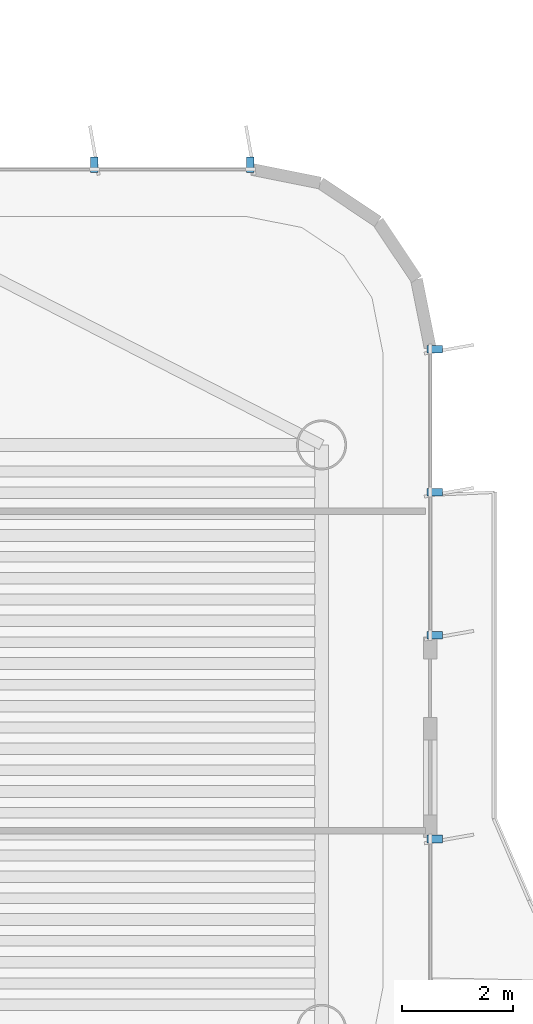
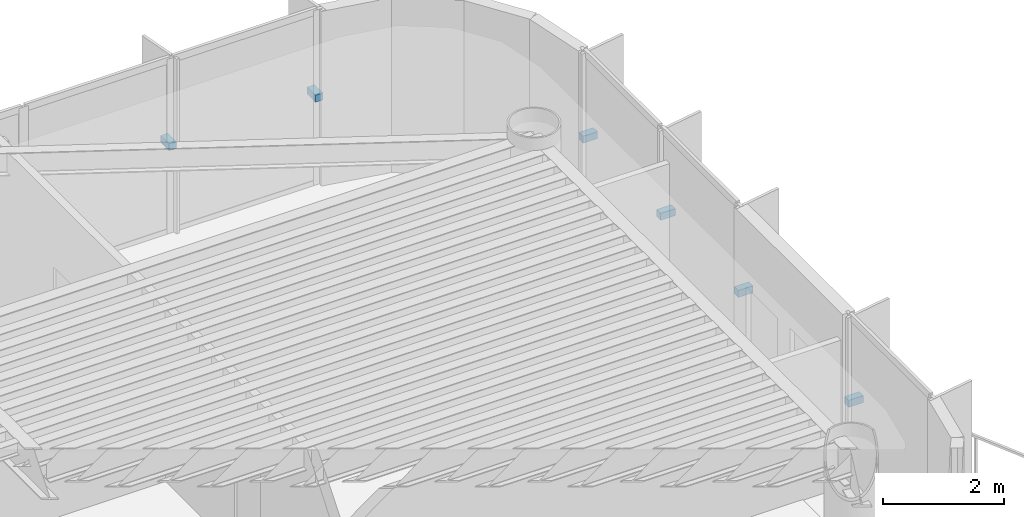
# One storey, part 14 of 16: 6 discrete accessories.
"""IFC4 building model written with IfcOpenShell, lengths in metres."""

from ifc_helpers import new_model, si_unit, direction, frame, origin, origin_2d, place, context, subcontext, project, spatial, rectangle, extrude, source, transform, mapped, material, type_object, element, save


model = new_model("IFC4")

# Units and contexts
model_context = context("Model", 3, precision=1e-05, world=origin(), true_north=direction((0.0, 1.0)))
body_context = subcontext(model_context, "Body", "Model", "MODEL_VIEW")
ifc_project = project(units=[si_unit("LENGTHUNIT", "METRE"), si_unit("AREAUNIT", "SQUARE_METRE"), si_unit("VOLUMEUNIT", "CUBIC_METRE"), si_unit("PLANEANGLEUNIT", "RADIAN"), si_unit("MASSUNIT", "GRAM", prefix="KILO")], contexts=[model_context])

# Site, building, storey
site_placement = place(None, origin())
site = spatial("IfcSite", under=ifc_project, at=site_placement, CompositionType="ELEMENT")
building_placement = place(site_placement, origin())
building = spatial("IfcBuilding", under=site, at=building_placement, Name="Brelvock Crest Care Tower", CompositionType="ELEMENT")
storey_placement = place(building_placement, frame((0.0, 0.0, 234.360107421875)))
storey = spatial("IfcBuildingStorey", under=building, at=storey_placement, Name="L59", CompositionType="ELEMENT", Elevation=234.360107421875)

# Discrete accessories
ifc_material = material(Name="Steel Grade 350", Category="steel")
discrete_accessory_type = type_object("IfcDiscreteAccessoryType", Name="ACC-BRK1", PredefinedType="BRACKET", material=ifc_material)
shared_shape = source(origin(), body_context, "Body", "SweptSolid", [
    extrude(rectangle(XDim=0.280029296875, YDim=0.139892578125, at=origin_2d()), origin(), (0.0, 0.0, 1.0), 0.139892578125),
])
for number, where, z_axis, x_axis, name in (
    (1, (48.2666015625, 59.47998046875, 1.69482421875), (0.0, 0.0, 1.0), (0.0, 1.0, 0.0), "L59 Facade Fin Bracket E34-03"),
    (2, (51.070068359375, 59.47998046875, 1.69482421875), (0.0, 0.0, 1.0), (0.0, 1.0, 0.0), "L59 Facade Fin Bracket E34-04"),
    (3, (54.3798828125, 56.169921875, 1.69482421875), (0.0, 0.0, 1.0), (1.0, 0.0, 0.0), "L59 Facade Fin Bracket E39A-01"),
    (4, (54.3798828125, 53.60009765625, 1.69482421875), (0.0, 0.0, 1.0), (1.0, 0.0, 0.0), "L59 Facade Fin Bracket E39A-02"),
    (5, (54.3798828125, 51.030029296875, 1.69482421875), (0.0, 0.0, 1.0), (1.0, 0.0, 0.0), "L59 Facade Fin Bracket E39A-03"),
    (6, (54.3798828125, 47.3701171875, 1.69482421875), (0.0, 0.0, 1.0), (1.0, 0.0, 0.0), "L59 Facade Fin Bracket E39B-01"),
):
    element("IfcDiscreteAccessory", number, at=place(storey_placement, frame(where, z_axis=z_axis, x_axis=x_axis)), inside=storey, type_object=discrete_accessory_type, Name=name, PredefinedType="BRACKET", context=body_context, shape_type="MappedRepresentation", body=[
        mapped(shared_shape, transform((0.0, 0.0, 0.0), x_axis=(1.0, 0.0, 0.0), y_axis=(0.0, 1.0, 0.0), z_axis=(0.0, 0.0, 1.0), scale=1.0)),
    ])

save(model, "model.ifc")
